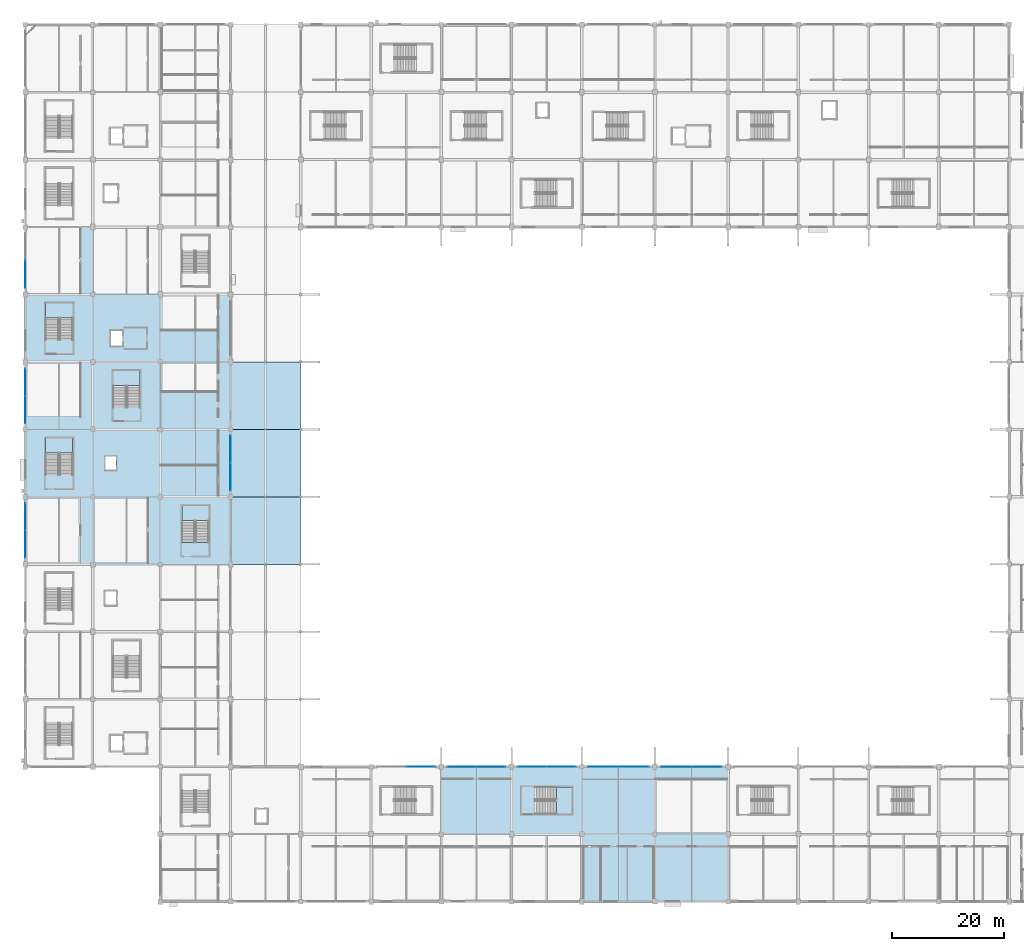
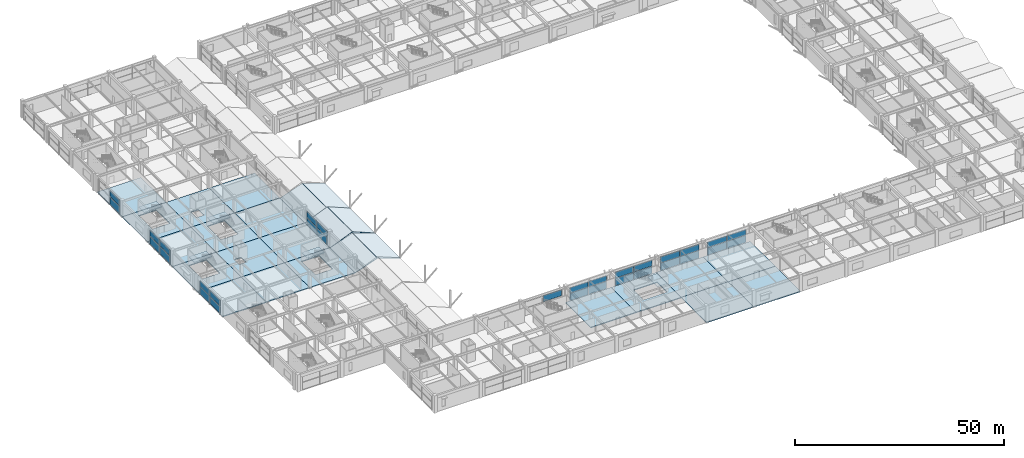
# One storey, part 56 of 116: 31 plates, 30 slabs, 14 elements without a shape of their own.
"""IFC4 building model written with IfcOpenShell, lengths in metres."""

from ifc_helpers import new_model, si_unit, direction, frame, origin, origin_2d, place, context, subcontext, project, spatial, polyline, rectangle, outline, extrude, material, layer, layer_set, type_object, element, aggregate, save


model = new_model("IFC4")

# Units and contexts
model_context = context("Model", 3, precision=1e-05, world=origin(), true_north=direction((0.0, 1.0)))
body_context = subcontext(model_context, "Body", "Model", "MODEL_VIEW")
ifc_project = project(units=[si_unit("LENGTHUNIT", "METRE"), si_unit("AREAUNIT", "SQUARE_METRE"), si_unit("VOLUMEUNIT", "CUBIC_METRE"), si_unit("PLANEANGLEUNIT", "RADIAN"), si_unit("MASSUNIT", "GRAM", prefix="KILO")], contexts=[model_context])

# Site, building, storey
site_placement = place(None, origin())
site = spatial("IfcSite", under=ifc_project, at=site_placement, CompositionType="ELEMENT")
building_placement = place(site_placement, origin())
building = spatial("IfcBuilding", under=site, at=building_placement, Name="Kazenohara Klinker Stadium", CompositionType="ELEMENT")
storey_placement = place(building_placement, frame((0.0, 0.0, 10.199951171875)))
storey = spatial("IfcBuildingStorey", under=building, at=storey_placement, Name="L02", CompositionType="ELEMENT", Elevation=10.199951171875)

# Curtain wall, plates
ifc_material_1 = material(Name="Anodised aluminium and triple glazing", Category="aluminium")
ifc_layer_1 = layer(ifc_material_1, 0.169921875)
ifc_layer_set_1 = layer_set([ifc_layer_1], Name="Anodised aluminium and triple glazing")
curtain_wall_type_1 = type_object("IfcCurtainWallType", Name="CW-SYS-04", PredefinedType="USERDEFINED", material=ifc_layer_set_1)
curtain_wall_1_placement = place(storey_placement, origin())
curtain_wall_1 = element("IfcCurtainWall", 1, at=curtain_wall_1_placement, inside=storey, type_object=curtain_wall_type_1, Name="Unitised facade curtain wall CW04 L02 Y0-6", ObjectType="UNITISED CURTAIN WALL", PredefinedType="USERDEFINED")
ifc_material_2 = material(Name="Low-e laminated triple glazing", Category="glass")
ifc_layer_2 = layer(ifc_material_2, 0.035888671875)
ifc_layer_set_2 = layer_set([ifc_layer_2], Name="Low-e laminated triple glazing")
plate_type_1 = type_object("IfcPlateType", Name="CW-PNL-36", PredefinedType="CURTAIN_PANEL", material=ifc_layer_set_2)
plate_1_placement = place(storey_placement, frame((0.0, 75.605712890625, 0.06494140625), z_axis=(0.0, 0.0, 1.0), x_axis=(0.0, 1.0, 0.0)))
plate_1 = element("IfcPlate", 2, at=plate_1_placement, type_object=plate_type_1, Name="CW04 panel 1.1", PredefinedType="CURTAIN_PANEL", context=body_context, shape_type="SweptSolid", body=[
    extrude(rectangle(XDim=4.7734375, YDim=0.035888671875, at=origin_2d()), origin(), (0.0, 0.0, 1.0), 2.113525390625),
])
plate_2_placement = place(storey_placement, frame((0.0, 75.605712890625, 2.24365234375), z_axis=(0.0, 0.0, 1.0), x_axis=(0.0, 1.0, 0.0)))
plate_2 = element("IfcPlate", 3, at=plate_2_placement, type_object=plate_type_1, Name="CW04 panel 1.2", PredefinedType="CURTAIN_PANEL", context=body_context, shape_type="SweptSolid", body=[
    extrude(rectangle(XDim=4.7734375, YDim=0.035888671875, at=origin_2d()), origin(), (0.0, 0.0, 1.0), 1.71142578125),
])
plate_3_placement = place(storey_placement, frame((0.0, 80.4443359375, 0.06494140625), z_axis=(0.0, 0.0, 1.0), x_axis=(0.0, 1.0, 0.0)))
plate_3 = element("IfcPlate", 4, at=plate_3_placement, type_object=plate_type_1, Name="CW04 panel 2.1", PredefinedType="CURTAIN_PANEL", context=body_context, shape_type="SweptSolid", body=[
    extrude(rectangle(XDim=4.7734375, YDim=0.035888671875, at=origin_2d()), origin(), (0.0, 0.0, 1.0), 2.113525390625),
])
plate_4_placement = place(storey_placement, frame((0.0, 80.4443359375, 2.24365234375), z_axis=(0.0, 0.0, 1.0), x_axis=(0.0, 1.0, 0.0)))
plate_4 = element("IfcPlate", 5, at=plate_4_placement, type_object=plate_type_1, Name="CW04 panel 2.2", PredefinedType="CURTAIN_PANEL", context=body_context, shape_type="SweptSolid", body=[
    extrude(rectangle(XDim=4.7734375, YDim=0.035888671875, at=origin_2d()), origin(), (0.0, 0.0, 1.0), 1.71142578125),
])
aggregate(curtain_wall_1, [plate_1, plate_2, plate_3, plate_4])

ifc_layer_3 = layer(ifc_material_1, 0.159912109375)
ifc_layer_set_3 = layer_set([ifc_layer_3], Name="Anodised aluminium and triple glazing")
curtain_wall_type_2 = type_object("IfcCurtainWallType", Name="CW-SYS-01", PredefinedType="USERDEFINED", material=ifc_layer_set_3)
curtain_wall_2_placement = place(storey_placement, origin())
curtain_wall_2 = element("IfcCurtainWall", 6, at=curtain_wall_2_placement, inside=storey, type_object=curtain_wall_type_2, Name="Unitised facade curtain wall CW01 L02 Y0-10", ObjectType="UNITISED CURTAIN WALL", PredefinedType="USERDEFINED")
plate_5_placement = place(storey_placement, frame((0.0, 123.580810546875, 0.065185546875), z_axis=(0.0, 0.0, 1.0), x_axis=(0.0, 1.0, 0.0)))
plate_5 = element("IfcPlate", 7, at=plate_5_placement, type_object=plate_type_1, Name="CW01 panel 1.1", PredefinedType="CURTAIN_PANEL", context=body_context, shape_type="SweptSolid", body=[
    extrude(rectangle(XDim=4.823486328125, YDim=0.035888671875, at=origin_2d()), origin(), (0.0, 0.0, 1.0), 2.16845703125),
])
plate_6_placement = place(storey_placement, frame((0.0, 123.580810546875, 2.29833984375), z_axis=(0.0, 0.0, 1.0), x_axis=(0.0, 1.0, 0.0)))
plate_6 = element("IfcPlate", 8, at=plate_6_placement, type_object=plate_type_1, Name="CW01 panel 1.2", PredefinedType="CURTAIN_PANEL", context=body_context, shape_type="SweptSolid", body=[
    extrude(rectangle(XDim=4.823486328125, YDim=0.035888671875, at=origin_2d()), origin(), (0.0, 0.0, 1.0), 1.756591796875),
])
aggregate(curtain_wall_2, [plate_5, plate_6])

# Curtain wall, plate
ifc_layer_4 = layer(ifc_material_1, 0.179931640625)
ifc_layer_set_4 = layer_set([ifc_layer_4], Name="Anodised aluminium and triple glazing")
curtain_wall_type_3 = type_object("IfcCurtainWallType", Name="CW-SYS-02", PredefinedType="USERDEFINED", material=ifc_layer_set_4)
curtain_wall_3_placement = place(storey_placement, origin())
curtain_wall_3 = element("IfcCurtainWall", 9, at=curtain_wall_3_placement, inside=storey, type_object=curtain_wall_type_3, Name="Unitised facade curtain wall CW02 L02 X5-3", ObjectType="UNITISED CURTAIN WALL", PredefinedType="USERDEFINED")
plate_7_placement = place(storey_placement, frame((70.331787109375, 36.0, 2.353515625), z_axis=(0.0, 0.0, 1.0), x_axis=(1.0, 0.0, 0.0)))
plate_7 = element("IfcPlate", 10, at=plate_7_placement, type_object=plate_type_1, Name="CW02 panel 2.2", PredefinedType="CURTAIN_PANEL", context=body_context, shape_type="SweptSolid", body=[
    extrude(rectangle(XDim=5.098388671875, YDim=0.035888671875, at=origin_2d()), origin(), (0.0, 0.0, 1.0), 1.801513671875),
])
aggregate(curtain_wall_3, [plate_7])

# Curtain wall, plates
ifc_layer_5 = layer(ifc_material_1, 0.18994140625)
ifc_layer_set_5 = layer_set([ifc_layer_5], Name="Anodised aluminium and triple glazing")
curtain_wall_type_4 = type_object("IfcCurtainWallType", Name="CW-SYS-05", PredefinedType="USERDEFINED", material=ifc_layer_set_5)
curtain_wall_4_placement = place(storey_placement, origin())
curtain_wall_4 = element("IfcCurtainWall", 11, at=curtain_wall_4_placement, inside=storey, type_object=curtain_wall_type_4, Name="Unitised facade curtain wall CW05 L02 Y0-8", ObjectType="UNITISED CURTAIN WALL", PredefinedType="USERDEFINED")
ifc_layer_6 = layer(ifc_material_2, 0.0439453125)
ifc_layer_set_6 = layer_set([ifc_layer_6], Name="Low-e laminated triple glazing")
plate_type_2 = type_object("IfcPlateType", Name="CW-PNL-44", PredefinedType="CURTAIN_PANEL", material=ifc_layer_set_6)
plate_8_placement = place(storey_placement, frame((0.0, 99.520751953125, 0.0751953125), z_axis=(0.0, 0.0, 1.0), x_axis=(0.0, 1.0, 0.0)))
plate_8 = element("IfcPlate", 12, at=plate_8_placement, type_object=plate_type_2, Name="CW05 panel 1.1", PredefinedType="CURTAIN_PANEL", context=body_context, shape_type="SweptSolid", body=[
    extrude(rectangle(XDim=4.783447265625, YDim=0.0439453125, at=origin_2d()), origin(), (0.0, 0.0, 1.0), 2.215087890625),
])
plate_9_placement = place(storey_placement, frame((0.0, 99.520751953125, 2.364990234375), z_axis=(0.0, 0.0, 1.0), x_axis=(0.0, 1.0, 0.0)))
plate_9 = element("IfcPlate", 13, at=plate_9_placement, type_object=plate_type_2, Name="CW05 panel 1.2", PredefinedType="CURTAIN_PANEL", context=body_context, shape_type="SweptSolid", body=[
    extrude(rectangle(XDim=4.783447265625, YDim=0.0439453125, at=origin_2d()), origin(), (0.0, 0.0, 1.0), 1.7919921875),
])
plate_10_placement = place(storey_placement, frame((0.0, 104.379150390625, 0.0751953125), z_axis=(0.0, 0.0, 1.0), x_axis=(0.0, 1.0, 0.0)))
plate_10 = element("IfcPlate", 14, at=plate_10_placement, type_object=plate_type_2, Name="CW05 panel 2.1", PredefinedType="CURTAIN_PANEL", context=body_context, shape_type="SweptSolid", body=[
    extrude(rectangle(XDim=4.783447265625, YDim=0.0439453125, at=origin_2d()), origin(), (0.0, 0.0, 1.0), 2.215087890625),
])
plate_11_placement = place(storey_placement, frame((0.0, 104.379150390625, 2.364990234375), z_axis=(0.0, 0.0, 1.0), x_axis=(0.0, 1.0, 0.0)))
plate_11 = element("IfcPlate", 15, at=plate_11_placement, type_object=plate_type_2, Name="CW05 panel 2.2", PredefinedType="CURTAIN_PANEL", context=body_context, shape_type="SweptSolid", body=[
    extrude(rectangle(XDim=4.783447265625, YDim=0.0439453125, at=origin_2d()), origin(), (0.0, 0.0, 1.0), 1.7919921875),
])
aggregate(curtain_wall_4, [plate_8, plate_9, plate_10, plate_11])

ifc_layer_7 = layer(ifc_material_1, 0.199951171875)
ifc_layer_set_7 = layer_set([ifc_layer_7], Name="Anodised aluminium and triple glazing")
curtain_wall_type_5 = type_object("IfcCurtainWallType", Name="CW-SYS-03", PredefinedType="USERDEFINED", material=ifc_layer_set_7)
curtain_wall_5_placement = place(storey_placement, origin())
curtain_wall_5 = element("IfcCurtainWall", 16, at=curtain_wall_5_placement, inside=storey, type_object=curtain_wall_type_5, Name="Unitised facade curtain wall CW03 L02 Y3-7", ObjectType="UNITISED CURTAIN WALL", PredefinedType="USERDEFINED")
plate_12_placement = place(storey_placement, frame((36.5, 87.583251953125, 0.0751953125), z_axis=(0.0, 0.0, 1.0), x_axis=(0.0, 1.0, 0.0)))
plate_12 = element("IfcPlate", 17, at=plate_12_placement, type_object=plate_type_2, Name="CW03 panel 1.1", PredefinedType="CURTAIN_PANEL", context=body_context, shape_type="SweptSolid", body=[
    extrude(rectangle(XDim=4.80859375, YDim=0.0439453125, at=origin_2d()), origin(), (0.0, 0.0, 1.0), 2.153564453125),
])
plate_13_placement = place(storey_placement, frame((36.5, 87.583251953125, 2.3037109375), z_axis=(0.0, 0.0, 1.0), x_axis=(0.0, 1.0, 0.0)))
plate_13 = element("IfcPlate", 18, at=plate_13_placement, type_object=plate_type_2, Name="CW03 panel 1.2", PredefinedType="CURTAIN_PANEL", context=body_context, shape_type="SweptSolid", body=[
    extrude(rectangle(XDim=4.80859375, YDim=0.0439453125, at=origin_2d()), origin(), (0.0, 0.0, 1.0), 1.741455078125),
])
plate_14_placement = place(storey_placement, frame((36.5, 92.466796875, 0.0751953125), z_axis=(0.0, 0.0, 1.0), x_axis=(0.0, 1.0, 0.0)))
plate_14 = element("IfcPlate", 19, at=plate_14_placement, type_object=plate_type_2, Name="CW03 panel 2.1", PredefinedType="CURTAIN_PANEL", context=body_context, shape_type="SweptSolid", body=[
    extrude(rectangle(XDim=4.80859375, YDim=0.0439453125, at=origin_2d()), origin(), (0.0, 0.0, 1.0), 2.153564453125),
])
plate_15_placement = place(storey_placement, frame((36.5, 92.466796875, 2.3037109375), z_axis=(0.0, 0.0, 1.0), x_axis=(0.0, 1.0, 0.0)))
plate_15 = element("IfcPlate", 20, at=plate_15_placement, type_object=plate_type_2, Name="CW03 panel 2.2", PredefinedType="CURTAIN_PANEL", context=body_context, shape_type="SweptSolid", body=[
    extrude(rectangle(XDim=4.80859375, YDim=0.0439453125, at=origin_2d()), origin(), (0.0, 0.0, 1.0), 1.741455078125),
])
aggregate(curtain_wall_5, [plate_12, plate_13, plate_14, plate_15])

curtain_wall_6_placement = place(storey_placement, origin())
curtain_wall_6 = element("IfcCurtainWall", 21, at=curtain_wall_6_placement, inside=storey, type_object=curtain_wall_type_5, Name="Unitised facade curtain wall CW03 L02 X6-3", ObjectType="UNITISED CURTAIN WALL", PredefinedType="USERDEFINED")
plate_16_placement = place(storey_placement, frame((77.658203125, 36.0, 0.0751953125), z_axis=(0.0, 0.0, 1.0), x_axis=(1.0, 0.0, 0.0)))
plate_16 = element("IfcPlate", 22, at=plate_16_placement, type_object=plate_type_2, Name="CW03 panel 1.1", PredefinedType="CURTAIN_PANEL", context=body_context, shape_type="SweptSolid", body=[
    extrude(rectangle(XDim=5.05859375, YDim=0.0439453125, at=origin_2d()), origin(), (0.0, 0.0, 1.0), 2.098388671875),
])
plate_17_placement = place(storey_placement, frame((77.658203125, 36.0, 2.24853515625), z_axis=(0.0, 0.0, 1.0), x_axis=(1.0, 0.0, 0.0)))
plate_17 = element("IfcPlate", 23, at=plate_17_placement, type_object=plate_type_2, Name="CW03 panel 1.2", PredefinedType="CURTAIN_PANEL", context=body_context, shape_type="SweptSolid", body=[
    extrude(rectangle(XDim=5.05859375, YDim=0.0439453125, at=origin_2d()), origin(), (0.0, 0.0, 1.0), 1.696533203125),
])
plate_18_placement = place(storey_placement, frame((82.791748046875, 36.0, 0.0751953125), z_axis=(0.0, 0.0, 1.0), x_axis=(1.0, 0.0, 0.0)))
plate_18 = element("IfcPlate", 24, at=plate_18_placement, type_object=plate_type_2, Name="CW03 panel 2.1", PredefinedType="CURTAIN_PANEL", context=body_context, shape_type="SweptSolid", body=[
    extrude(rectangle(XDim=5.05859375, YDim=0.0439453125, at=origin_2d()), origin(), (0.0, 0.0, 1.0), 2.098388671875),
])
plate_19_placement = place(storey_placement, frame((82.791748046875, 36.0, 2.24853515625), z_axis=(0.0, 0.0, 1.0), x_axis=(1.0, 0.0, 0.0)))
plate_19 = element("IfcPlate", 25, at=plate_19_placement, type_object=plate_type_2, Name="CW03 panel 2.2", PredefinedType="CURTAIN_PANEL", context=body_context, shape_type="SweptSolid", body=[
    extrude(rectangle(XDim=5.05859375, YDim=0.0439453125, at=origin_2d()), origin(), (0.0, 0.0, 1.0), 1.696533203125),
])
aggregate(curtain_wall_6, [plate_16, plate_17, plate_18, plate_19])

curtain_wall_7_placement = place(storey_placement, origin())
curtain_wall_7 = element("IfcCurtainWall", 26, at=curtain_wall_7_placement, inside=storey, type_object=curtain_wall_type_4, Name="Unitised facade curtain wall CW05 L02 X7-3", ObjectType="UNITISED CURTAIN WALL", PredefinedType="USERDEFINED")
plate_20_placement = place(storey_placement, frame((90.208251953125, 36.0, 0.0751953125), z_axis=(0.0, 0.0, 1.0), x_axis=(1.0, 0.0, 0.0)))
plate_20 = element("IfcPlate", 27, at=plate_20_placement, type_object=plate_type_2, Name="CW05 panel 1.1", PredefinedType="CURTAIN_PANEL", context=body_context, shape_type="SweptSolid", body=[
    extrude(rectangle(XDim=5.05859375, YDim=0.0439453125, at=origin_2d()), origin(), (0.0, 0.0, 1.0), 2.153564453125),
])
plate_21_placement = place(storey_placement, frame((90.208251953125, 36.0, 2.3037109375), z_axis=(0.0, 0.0, 1.0), x_axis=(1.0, 0.0, 0.0)))
plate_21 = element("IfcPlate", 28, at=plate_21_placement, type_object=plate_type_2, Name="CW05 panel 1.2", PredefinedType="CURTAIN_PANEL", context=body_context, shape_type="SweptSolid", body=[
    extrude(rectangle(XDim=5.05859375, YDim=0.0439453125, at=origin_2d()), origin(), (0.0, 0.0, 1.0), 1.741455078125),
])
plate_22_placement = place(storey_placement, frame((95.341796875, 36.0, 0.0751953125), z_axis=(0.0, 0.0, 1.0), x_axis=(1.0, 0.0, 0.0)))
plate_22 = element("IfcPlate", 29, at=plate_22_placement, type_object=plate_type_2, Name="CW05 panel 2.1", PredefinedType="CURTAIN_PANEL", context=body_context, shape_type="SweptSolid", body=[
    extrude(rectangle(XDim=5.05859375, YDim=0.0439453125, at=origin_2d()), origin(), (0.0, 0.0, 1.0), 2.153564453125),
])
plate_23_placement = place(storey_placement, frame((95.341796875, 36.0, 2.3037109375), z_axis=(0.0, 0.0, 1.0), x_axis=(1.0, 0.0, 0.0)))
plate_23 = element("IfcPlate", 30, at=plate_23_placement, type_object=plate_type_2, Name="CW05 panel 2.2", PredefinedType="CURTAIN_PANEL", context=body_context, shape_type="SweptSolid", body=[
    extrude(rectangle(XDim=5.05859375, YDim=0.0439453125, at=origin_2d()), origin(), (0.0, 0.0, 1.0), 1.741455078125),
])
aggregate(curtain_wall_7, [plate_20, plate_21, plate_22, plate_23])

curtain_wall_8_placement = place(storey_placement, origin())
curtain_wall_8 = element("IfcCurtainWall", 31, at=curtain_wall_8_placement, inside=storey, type_object=curtain_wall_type_3, Name="Unitised facade curtain wall CW02 L02 X8-3", ObjectType="UNITISED CURTAIN WALL", PredefinedType="USERDEFINED")
plate_24_placement = place(storey_placement, frame((102.795654296875, 36.0, 0.074951171875), z_axis=(0.0, 0.0, 1.0), x_axis=(1.0, 0.0, 0.0)))
plate_24 = element("IfcPlate", 32, at=plate_24_placement, type_object=plate_type_2, Name="CW02 panel 1.1", PredefinedType="CURTAIN_PANEL", context=body_context, shape_type="SweptSolid", body=[
    extrude(rectangle(XDim=5.33349609375, YDim=0.0439453125, at=origin_2d()), origin(), (0.0, 0.0, 1.0), 2.20849609375),
])
plate_25_placement = place(storey_placement, frame((102.795654296875, 36.0, 2.3583984375), z_axis=(0.0, 0.0, 1.0), x_axis=(1.0, 0.0, 0.0)))
plate_25 = element("IfcPlate", 33, at=plate_25_placement, type_object=plate_type_2, Name="CW02 panel 1.2", PredefinedType="CURTAIN_PANEL", context=body_context, shape_type="SweptSolid", body=[
    extrude(rectangle(XDim=5.33349609375, YDim=0.0439453125, at=origin_2d()), origin(), (0.0, 0.0, 1.0), 1.78662109375),
])
plate_26_placement = place(storey_placement, frame((108.204345703125, 36.0, 0.074951171875), z_axis=(0.0, 0.0, 1.0), x_axis=(1.0, 0.0, 0.0)))
plate_26 = element("IfcPlate", 34, at=plate_26_placement, type_object=plate_type_2, Name="CW02 panel 2.1", PredefinedType="CURTAIN_PANEL", context=body_context, shape_type="SweptSolid", body=[
    extrude(rectangle(XDim=5.33349609375, YDim=0.0439453125, at=origin_2d()), origin(), (0.0, 0.0, 1.0), 2.20849609375),
])
plate_27_placement = place(storey_placement, frame((108.204345703125, 36.0, 2.3583984375), z_axis=(0.0, 0.0, 1.0), x_axis=(1.0, 0.0, 0.0)))
plate_27 = element("IfcPlate", 35, at=plate_27_placement, type_object=plate_type_2, Name="CW02 panel 2.2", PredefinedType="CURTAIN_PANEL", context=body_context, shape_type="SweptSolid", body=[
    extrude(rectangle(XDim=5.33349609375, YDim=0.0439453125, at=origin_2d()), origin(), (0.0, 0.0, 1.0), 1.78662109375),
])
aggregate(curtain_wall_8, [plate_24, plate_25, plate_26, plate_27])

curtain_wall_9_placement = place(storey_placement, origin())
curtain_wall_9 = element("IfcCurtainWall", 36, at=curtain_wall_9_placement, inside=storey, type_object=curtain_wall_type_1, Name="Unitised facade curtain wall CW04 L02 X9-3", ObjectType="UNITISED CURTAIN WALL", PredefinedType="USERDEFINED")
plate_28_placement = place(storey_placement, frame((115.783203125, 36.0, 0.0751953125), z_axis=(0.0, 0.0, 1.0), x_axis=(1.0, 0.0, 0.0)))
plate_28 = element("IfcPlate", 37, at=plate_28_placement, type_object=plate_type_2, Name="CW04 panel 1.1", PredefinedType="CURTAIN_PANEL", context=body_context, shape_type="SweptSolid", body=[
    extrude(rectangle(XDim=5.30859375, YDim=0.0439453125, at=origin_2d()), origin(), (0.0, 0.0, 1.0), 2.098388671875),
])
plate_29_placement = place(storey_placement, frame((115.783203125, 36.0, 2.24853515625), z_axis=(0.0, 0.0, 1.0), x_axis=(1.0, 0.0, 0.0)))
plate_29 = element("IfcPlate", 38, at=plate_29_placement, type_object=plate_type_2, Name="CW04 panel 1.2", PredefinedType="CURTAIN_PANEL", context=body_context, shape_type="SweptSolid", body=[
    extrude(rectangle(XDim=5.30859375, YDim=0.0439453125, at=origin_2d()), origin(), (0.0, 0.0, 1.0), 1.696533203125),
])
plate_30_placement = place(storey_placement, frame((121.166748046875, 36.0, 0.0751953125), z_axis=(0.0, 0.0, 1.0), x_axis=(1.0, 0.0, 0.0)))
plate_30 = element("IfcPlate", 39, at=plate_30_placement, type_object=plate_type_2, Name="CW04 panel 2.1", PredefinedType="CURTAIN_PANEL", context=body_context, shape_type="SweptSolid", body=[
    extrude(rectangle(XDim=5.30859375, YDim=0.0439453125, at=origin_2d()), origin(), (0.0, 0.0, 1.0), 2.098388671875),
])
plate_31_placement = place(storey_placement, frame((121.166748046875, 36.0, 2.24853515625), z_axis=(0.0, 0.0, 1.0), x_axis=(1.0, 0.0, 0.0)))
plate_31 = element("IfcPlate", 40, at=plate_31_placement, type_object=plate_type_2, Name="CW04 panel 2.2", PredefinedType="CURTAIN_PANEL", context=body_context, shape_type="SweptSolid", body=[
    extrude(rectangle(XDim=5.30859375, YDim=0.0439453125, at=origin_2d()), origin(), (0.0, 0.0, 1.0), 1.696533203125),
])
aggregate(curtain_wall_9, [plate_28, plate_29, plate_30, plate_31])

# Slabs
ifc_material_3 = material(Name="Concrete C40/50", Category="concrete")
ifc_layer_8 = layer(ifc_material_3, 0.25)
ifc_layer_set_8 = layer_set([ifc_layer_8], Name="Concrete C40/50")
slab_type_1 = type_object("IfcSlabType", Name="SLB-FLR-250", PredefinedType="FLOOR", material=ifc_layer_set_8)
slab_1_placement = place(storey_placement, frame((0.0, 0.0, -0.25)))
element("IfcSlab", 41, at=slab_1_placement, inside=storey, type_object=slab_type_1, Name="Floor slab FS03 L02 1/G", PredefinedType="FLOOR", context=body_context, shape_type="SweptSolid", body=[
    extrude(outline(polyline([(0.0, 72.0), (12.0, 72.0), (12.0, 84.0), (0.0, 84.0), (0.0, 72.0)])), origin(), (0.0, 0.0, 1.0), 0.25),
])
slab_2_placement = place(storey_placement, frame((0.0, 0.0, -0.25)))
element("IfcSlab", 42, at=slab_2_placement, inside=storey, type_object=slab_type_1, Name="Floor slab FS03 L02 1/H", PredefinedType="FLOOR", context=body_context, shape_type="SweptSolid", body=[
    extrude(outline(polyline([(0.0, 84.0), (12.0, 84.0), (12.0, 96.0), (0.0, 96.0), (0.0, 84.0)]), holes=[polyline([(8.429931640625, 87.949951171875), (8.429931640625, 94.4599609375), (3.570068359375, 94.4599609375), (3.570068359375, 87.949951171875), (8.429931640625, 87.949951171875)])]), origin(), (0.0, 0.0, 1.0), 0.25),
])
slab_3_placement = place(storey_placement, frame((0.0, 0.0, -0.25)))
element("IfcSlab", 43, at=slab_3_placement, inside=storey, type_object=slab_type_1, Name="Floor slab FS03 L02 1/J", PredefinedType="FLOOR", context=body_context, shape_type="SweptSolid", body=[
    extrude(outline(polyline([(0.0, 96.0), (12.0, 96.0), (12.0, 108.0), (0.0, 108.0), (0.0, 96.0)])), origin(), (0.0, 0.0, 1.0), 0.25),
])
slab_4_placement = place(storey_placement, frame((0.0, 0.0, -0.25)))
element("IfcSlab", 44, at=slab_4_placement, inside=storey, type_object=slab_type_1, Name="Floor slab FS03 L02 1/K", PredefinedType="FLOOR", context=body_context, shape_type="SweptSolid", body=[
    extrude(outline(polyline([(0.0, 108.0), (12.0, 108.0), (12.0, 120.0), (0.0, 120.0), (0.0, 108.0)]), holes=[polyline([(8.43994140625, 111.9599609375), (8.43994140625, 118.4599609375), (3.56005859375, 118.4599609375), (3.56005859375, 111.9599609375), (8.43994140625, 111.9599609375)])]), origin(), (0.0, 0.0, 1.0), 0.25),
])
slab_5_placement = place(storey_placement, frame((0.0, 0.0, -0.25)))
element("IfcSlab", 45, at=slab_5_placement, inside=storey, type_object=slab_type_1, Name="Floor slab FS03 L02 1/L", PredefinedType="FLOOR", context=body_context, shape_type="SweptSolid", body=[
    extrude(outline(polyline([(0.0, 120.0), (12.0, 120.0), (12.0, 132.0), (0.0, 132.0), (0.0, 120.0)])), origin(), (0.0, 0.0, 1.0), 0.25),
])
slab_6_placement = place(storey_placement, frame((0.0, 0.0, -0.25)))
element("IfcSlab", 46, at=slab_6_placement, inside=storey, type_object=slab_type_1, Name="Floor slab FS03 L02 2/G", PredefinedType="FLOOR", context=body_context, shape_type="SweptSolid", body=[
    extrude(outline(polyline([(12.0, 72.0), (24.0, 72.0), (24.0, 84.0), (12.0, 84.0), (12.0, 72.0)])), origin(), (0.0, 0.0, 1.0), 0.25),
])
slab_7_placement = place(storey_placement, frame((0.0, 0.0, -0.25)))
element("IfcSlab", 47, at=slab_7_placement, inside=storey, type_object=slab_type_1, Name="Floor slab FS03 L02 2/H", PredefinedType="FLOOR", context=body_context, shape_type="SweptSolid", body=[
    extrude(outline(polyline([(12.0, 84.0), (24.0, 84.0), (24.0, 96.0), (12.0, 96.0), (12.0, 84.0)]), holes=[polyline([(14.25, 88.800048828125), (16.14990234375, 88.800048828125), (16.14990234375, 91.199951171875), (14.25, 91.199951171875), (14.25, 88.800048828125)])]), origin(), (0.0, 0.0, 1.0), 0.25),
])
slab_8_placement = place(storey_placement, frame((0.0, 0.0, -0.25)))
element("IfcSlab", 48, at=slab_8_placement, inside=storey, type_object=slab_type_1, Name="Floor slab FS03 L02 2/J", PredefinedType="FLOOR", context=body_context, shape_type="SweptSolid", body=[
    extrude(outline(polyline([(12.0, 96.0), (24.0, 96.0), (24.0, 108.0), (12.0, 108.0), (12.0, 96.0)]), holes=[polyline([(20.409912109375, 99.929931640625), (20.409912109375, 106.4599609375), (15.590087890625, 106.4599609375), (15.590087890625, 99.929931640625), (20.409912109375, 99.929931640625)])]), origin(), (0.0, 0.0, 1.0), 0.25),
])
slab_9_placement = place(storey_placement, frame((0.0, 0.0, -0.25)))
element("IfcSlab", 49, at=slab_9_placement, inside=storey, type_object=slab_type_1, Name="Floor slab FS03 L02 2/K", PredefinedType="FLOOR", context=body_context, shape_type="SweptSolid", body=[
    extrude(outline(polyline([(12.0, 108.0), (24.0, 108.0), (24.0, 120.0), (12.0, 120.0), (12.0, 108.0)]), holes=[polyline([(15.14990234375, 110.85009765625), (17.25, 110.85009765625), (17.25, 113.550048828125), (15.14990234375, 113.550048828125), (15.14990234375, 110.85009765625)])]), origin(), (0.0, 0.0, 1.0), 0.25),
])
slab_10_placement = place(storey_placement, frame((0.0, 0.0, -0.25)))
element("IfcSlab", 50, at=slab_10_placement, inside=storey, type_object=slab_type_1, Name="Floor slab FS03 L02 3/G", PredefinedType="FLOOR", context=body_context, shape_type="SweptSolid", body=[
    extrude(outline(polyline([(24.0, 72.0), (36.5, 72.0), (36.5, 84.0), (24.0, 84.0), (24.0, 72.0)]), holes=[polyline([(32.64990234375, 75.919921875), (32.64990234375, 82.4599609375), (27.85009765625, 82.4599609375), (27.85009765625, 75.919921875), (32.64990234375, 75.919921875)])]), origin(), (0.0, 0.0, 1.0), 0.25),
])
slab_11_placement = place(storey_placement, frame((0.0, 0.0, -0.25)))
element("IfcSlab", 51, at=slab_11_placement, inside=storey, type_object=slab_type_1, Name="Floor slab FS03 L02 3/H", PredefinedType="FLOOR", context=body_context, shape_type="SweptSolid", body=[
    extrude(outline(polyline([(24.0, 84.0), (36.5, 84.0), (36.5, 96.0), (24.0, 96.0), (24.0, 84.0)])), origin(), (0.0, 0.0, 1.0), 0.25),
])
slab_12_placement = place(storey_placement, frame((0.0, 0.0, -0.25)))
element("IfcSlab", 52, at=slab_12_placement, inside=storey, type_object=slab_type_1, Name="Floor slab FS03 L02 3/J", PredefinedType="FLOOR", context=body_context, shape_type="SweptSolid", body=[
    extrude(outline(polyline([(24.0, 96.0), (36.5, 96.0), (36.5, 108.0), (24.0, 108.0), (24.0, 96.0)])), origin(), (0.0, 0.0, 1.0), 0.25),
])
slab_13_placement = place(storey_placement, frame((0.0, 0.0, -0.25)))
element("IfcSlab", 53, at=slab_13_placement, inside=storey, type_object=slab_type_1, Name="Floor slab FS03 L02 3/K", PredefinedType="FLOOR", context=body_context, shape_type="SweptSolid", body=[
    extrude(outline(polyline([(24.0, 108.0), (36.5, 108.0), (36.5, 120.0), (24.0, 120.0), (24.0, 108.0)])), origin(), (0.0, 0.0, 1.0), 0.25),
])
slab_14_placement = place(storey_placement, frame((0.0, 0.0, -0.25)))
element("IfcSlab", 54, at=slab_14_placement, inside=storey, type_object=slab_type_1, Name="Floor slab FS03 L02 7/C", PredefinedType="FLOOR", context=body_context, shape_type="SweptSolid", body=[
    extrude(outline(polyline([(74.0, 24.0), (86.5, 24.0), (86.5, 36.0), (74.0, 36.0), (74.0, 24.0)])), origin(), (0.0, 0.0, 1.0), 0.25),
])
slab_15_placement = place(storey_placement, frame((0.0, 0.0, -0.25)))
element("IfcSlab", 55, at=slab_15_placement, inside=storey, type_object=slab_type_1, Name="Floor slab FS03 L02 8/C", PredefinedType="FLOOR", context=body_context, shape_type="SweptSolid", body=[
    extrude(outline(polyline([(86.5, 24.0), (99.0, 24.0), (99.0, 36.0), (86.5, 36.0), (86.5, 24.0)]), holes=[polyline([(90.679931640625, 27.590087890625), (97.2099609375, 27.590087890625), (97.2099609375, 32.409912109375), (90.679931640625, 32.409912109375), (90.679931640625, 27.590087890625)])]), origin(), (0.0, 0.0, 1.0), 0.25),
])
slab_16_placement = place(storey_placement, frame((0.0, 0.0, -0.25)))
element("IfcSlab", 56, at=slab_16_placement, inside=storey, type_object=slab_type_1, Name="Floor slab FS03 L02 9/B", PredefinedType="FLOOR", context=body_context, shape_type="SweptSolid", body=[
    extrude(outline(polyline([(99.0, 12.0), (112.0, 12.0), (112.0, 24.0), (99.0, 24.0), (99.0, 12.0)])), origin(), (0.0, 0.0, 1.0), 0.25),
])
slab_17_placement = place(storey_placement, frame((0.0, 0.0, -0.25)))
element("IfcSlab", 57, at=slab_17_placement, inside=storey, type_object=slab_type_1, Name="Floor slab FS03 L02 9/C", PredefinedType="FLOOR", context=body_context, shape_type="SweptSolid", body=[
    extrude(outline(polyline([(99.0, 24.0), (112.0, 24.0), (112.0, 36.0), (99.0, 36.0), (99.0, 24.0)])), origin(), (0.0, 0.0, 1.0), 0.25),
])
slab_18_placement = place(storey_placement, frame((0.0, 0.0, -0.25)))
element("IfcSlab", 58, at=slab_18_placement, inside=storey, type_object=slab_type_1, Name="Floor slab FS03 L02 10/B", PredefinedType="FLOOR", context=body_context, shape_type="SweptSolid", body=[
    extrude(outline(polyline([(112.0, 12.0), (125.0, 12.0), (125.0, 24.0), (112.0, 24.0), (112.0, 12.0)])), origin(), (0.0, 0.0, 1.0), 0.25),
])
slab_19_placement = place(storey_placement, frame((0.0, 0.0, -0.25)))
element("IfcSlab", 59, at=slab_19_placement, inside=storey, type_object=slab_type_1, Name="Floor slab FS03 L02 10/C", PredefinedType="FLOOR", context=body_context, shape_type="SweptSolid", body=[
    extrude(outline(polyline([(112.0, 24.0), (125.0, 24.0), (125.0, 36.0), (112.0, 36.0), (112.0, 24.0)])), origin(), (0.0, 0.0, 1.0), 0.25),
])

# Stair, slab
stair_type_1 = type_object("IfcStairType", Name="STR-DL-2330", PredefinedType="HALF_TURN_STAIR", material=ifc_material_3)
stair_1_placement = place(storey_placement, origin())
stair_1 = element("IfcStair", 60, at=stair_1_placement, inside=storey, type_object=stair_type_1, Name="L02 Enclosed escape stair ST03", PredefinedType="HALF_TURN_STAIR")
ifc_layer_9 = layer(ifc_material_3, 0.199951171875)
ifc_layer_set_9 = layer_set([ifc_layer_9], Name="Concrete C40/50")
slab_type_2 = type_object("IfcSlabType", Name="SLB-LND-200", PredefinedType="LANDING", material=ifc_layer_set_9)
slab_20_placement = place(storey_placement, frame((0.0, 0.0, 2.35009765625)))
slab_20 = element("IfcSlab", 61, at=slab_20_placement, type_object=slab_type_2, Name="ST03 landing 1", PredefinedType="LANDING", context=body_context, shape_type="SweptSolid", body=[
    extrude(outline(polyline([(8.429931640625, 91.7900390625), (8.429931640625, 94.4599609375), (3.570068359375, 94.4599609375), (3.570068359375, 91.7900390625), (8.429931640625, 91.7900390625)])), origin(), (0.0, 0.0, 1.0), 0.199951171875),
])
aggregate(stair_1, [slab_20])

stair_type_2 = type_object("IfcStairType", Name="STR-DL-2340", PredefinedType="HALF_TURN_STAIR", material=ifc_material_3)
stair_2_placement = place(storey_placement, origin())
stair_2 = element("IfcStair", 62, at=stair_2_placement, inside=storey, type_object=stair_type_2, Name="L02 Enclosed escape stair ST04", PredefinedType="HALF_TURN_STAIR")
slab_21_placement = place(storey_placement, frame((0.0, 0.0, 2.35009765625)))
slab_21 = element("IfcSlab", 63, at=slab_21_placement, type_object=slab_type_2, Name="ST04 landing 1", PredefinedType="LANDING", context=body_context, shape_type="SweptSolid", body=[
    extrude(outline(polyline([(8.43994140625, 115.800048828125), (8.43994140625, 118.4599609375), (3.56005859375, 118.4599609375), (3.56005859375, 115.800048828125), (8.43994140625, 115.800048828125)])), origin(), (0.0, 0.0, 1.0), 0.199951171875),
])
aggregate(stair_2, [slab_21])

stair_type_3 = type_object("IfcStairType", Name="STR-DL-2310", PredefinedType="HALF_TURN_STAIR", material=ifc_material_3)
stair_3_placement = place(storey_placement, origin())
stair_3 = element("IfcStair", 64, at=stair_3_placement, inside=storey, type_object=stair_type_3, Name="L02 Enclosed escape stair ST14", PredefinedType="HALF_TURN_STAIR")
slab_22_placement = place(storey_placement, frame((0.0, 0.0, 2.35009765625)))
slab_22 = element("IfcSlab", 65, at=slab_22_placement, type_object=slab_type_2, Name="ST14 landing 1", PredefinedType="LANDING", context=body_context, shape_type="SweptSolid", body=[
    extrude(outline(polyline([(20.409912109375, 103.77001953125), (20.409912109375, 106.4599609375), (15.590087890625, 106.4599609375), (15.590087890625, 103.77001953125), (20.409912109375, 103.77001953125)])), origin(), (0.0, 0.0, 1.0), 0.199951171875),
])
aggregate(stair_3, [slab_22])

stair_type_4 = type_object("IfcStairType", Name="STR-DL-2300", PredefinedType="HALF_TURN_STAIR", material=ifc_material_3)
stair_4_placement = place(storey_placement, origin())
stair_4 = element("IfcStair", 66, at=stair_4_placement, inside=storey, type_object=stair_type_4, Name="L02 Enclosed escape stair ST17", PredefinedType="HALF_TURN_STAIR")
slab_23_placement = place(storey_placement, frame((0.0, 0.0, 2.35009765625)))
slab_23 = element("IfcSlab", 67, at=slab_23_placement, type_object=slab_type_2, Name="ST17 landing 1", PredefinedType="LANDING", context=body_context, shape_type="SweptSolid", body=[
    extrude(outline(polyline([(32.64990234375, 79.760009765625), (32.64990234375, 82.4599609375), (27.85009765625, 82.4599609375), (27.85009765625, 79.760009765625), (32.64990234375, 79.760009765625)])), origin(), (0.0, 0.0, 1.0), 0.199951171875),
])
aggregate(stair_4, [slab_23])

stair_5_placement = place(storey_placement, origin())
stair_5 = element("IfcStair", 68, at=stair_5_placement, inside=storey, type_object=stair_type_3, Name="L02 Enclosed escape stair ST26", PredefinedType="HALF_TURN_STAIR")
slab_24_placement = place(storey_placement, frame((0.0, 0.0, 2.35009765625)))
slab_24 = element("IfcSlab", 69, at=slab_24_placement, type_object=slab_type_2, Name="ST26 landing 1", PredefinedType="LANDING", context=body_context, shape_type="SweptSolid", body=[
    extrude(outline(polyline([(94.52001953125, 27.590087890625), (97.2099609375, 27.590087890625), (97.2099609375, 32.409912109375), (94.52001953125, 32.409912109375), (94.52001953125, 27.590087890625)])), origin(), (0.0, 0.0, 1.0), 0.199951171875),
])
aggregate(stair_5, [slab_24])

# Slabs
ifc_material_4 = material(Name="Steel S355", Category="steel")
ifc_layer_10 = layer(ifc_material_4, 0.169921875)
ifc_layer_set_10 = layer_set([ifc_layer_10], Name="Steel S355")
slab_type_3 = type_object("IfcSlabType", Name="SLB-ROOF-170", PredefinedType="ROOF", material=ifc_layer_set_10)
for number, where, z_axis, x_axis, name in (
    (70, (36.5, 72.0, -0.079833984375), (-0.327622925614, 0.0, 0.944808561886), (0.944808561886, 0.0, 0.327622925614), "Sloped snow-shedding wing roof RS02 L02 4/G A"),
    (71, (42.800048828125, 72.0, 2.070068359375), (0.327622925614, 0.0, 0.944808561886), (0.944808561886, 0.0, -0.327622925614), "Sloped snow-shedding wing roof RS02 L02 4/G B"),
):
    element("IfcSlab", number, at=place(storey_placement, frame(where, z_axis=z_axis, x_axis=x_axis)), inside=storey, type_object=slab_type_3, Name=name, PredefinedType="ROOF", context=body_context, shape_type="SweptSolid", body=[
        extrude(outline(polyline([(0.0, 0.0), (6.5621242461032345, 0.0), (6.5621242461032345, 12.0), (0.0, 12.0), (0.0, 0.0)])), origin(), (0.0, 0.0, -1.0), 0.169921875),
    ])
for number, where, z_axis, x_axis, name in (
    (72, (36.5, 84.0, -0.079833984375), (-0.380352293876, 0.0, 0.924841679718), (0.924841679718, 0.0, 0.380352293876), "Sloped snow-shedding wing roof RS02 L02 4/H A"),
    (73, (42.800048828125, 84.0, 2.469970703125), (0.380352293876, 0.0, 0.924841679718), (0.924841679718, 0.0, -0.380352293876), "Sloped snow-shedding wing roof RS02 L02 4/H B"),
):
    element("IfcSlab", number, at=place(storey_placement, frame(where, z_axis=z_axis, x_axis=x_axis)), inside=storey, type_object=slab_type_3, Name=name, PredefinedType="ROOF", context=body_context, shape_type="SweptSolid", body=[
        extrude(outline(polyline([(0.0, 0.0), (6.703797317791698, 0.0), (6.703797317791698, 12.0), (0.0, 12.0), (0.0, 0.0)])), origin(), (0.0, 0.0, -1.0), 0.169921875),
    ])
for number, where, z_axis, x_axis, name in (
    (74, (36.5, 96.0, -0.079833984375), (-0.327622925614, 0.0, 0.944808561886), (0.944808561886, 0.0, 0.327622925614), "Sloped snow-shedding wing roof RS02 L02 4/J A"),
    (75, (42.800048828125, 96.0, 2.070068359375), (0.327622925614, 0.0, 0.944808561886), (0.944808561886, 0.0, -0.327622925614), "Sloped snow-shedding wing roof RS02 L02 4/J B"),
):
    element("IfcSlab", number, at=place(storey_placement, frame(where, z_axis=z_axis, x_axis=x_axis)), inside=storey, type_object=slab_type_3, Name=name, PredefinedType="ROOF", context=body_context, shape_type="SweptSolid", body=[
        extrude(outline(polyline([(0.0, 0.0), (6.5621242461032345, 0.0), (6.5621242461032345, 12.0), (0.0, 12.0), (0.0, 0.0)])), origin(), (0.0, 0.0, -1.0), 0.169921875),
    ])

save(model, "model.ifc")
